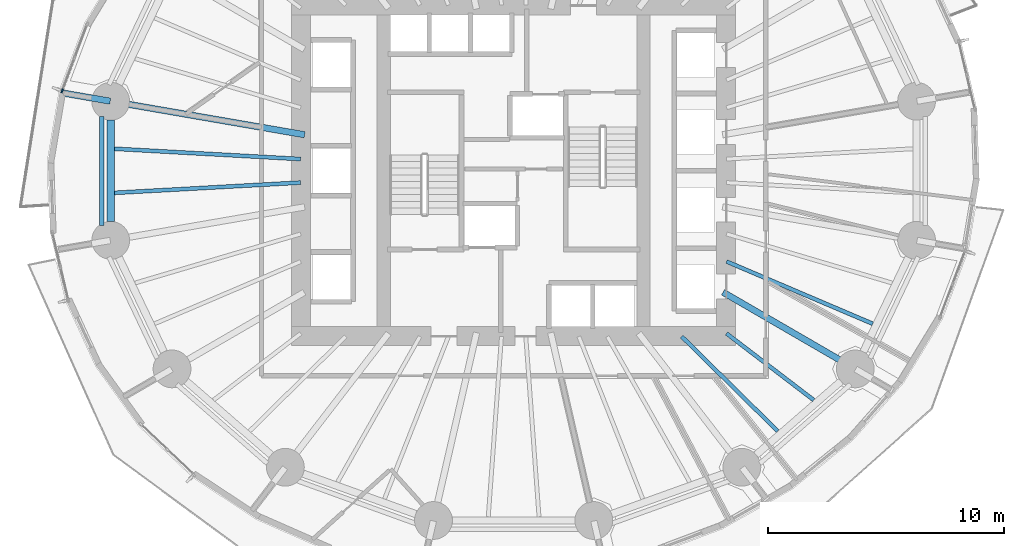
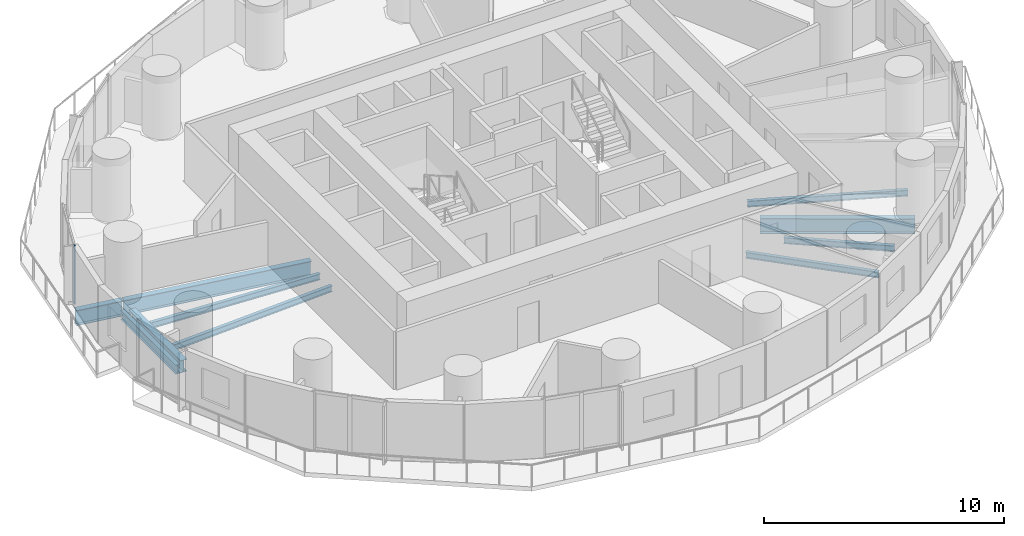
# One storey, part 3 of 14: 10 beams, 1 member, 1 element without a shape of its own.
"""IFC4 building model written with IfcOpenShell, lengths in metres."""

from ifc_helpers import new_model, si_unit, direction, frame, origin, origin_2d, place, context, subcontext, project, spatial, rectangle, i_section, extrude, material, material_profile, profile_set, type_object, element, aggregate, save


model = new_model("IFC4")

# Units and contexts
model_context = context("Model", 3, precision=1e-05, world=origin(), true_north=direction((0.0, 1.0)))
body_context = subcontext(model_context, "Body", "Model", "MODEL_VIEW")
ifc_project = project(units=[si_unit("LENGTHUNIT", "METRE"), si_unit("AREAUNIT", "SQUARE_METRE"), si_unit("VOLUMEUNIT", "CUBIC_METRE"), si_unit("PLANEANGLEUNIT", "RADIAN"), si_unit("MASSUNIT", "GRAM", prefix="KILO")], contexts=[model_context])

# Site, building, storey
site_placement = place(None, origin())
site = spatial("IfcSite", under=ifc_project, at=site_placement, CompositionType="ELEMENT")
building_placement = place(site_placement, origin())
building = spatial("IfcBuilding", under=site, at=building_placement, Name="Veldorim Arch Residences", CompositionType="ELEMENT")
storey_placement = place(building_placement, frame((0.0, 0.0, 34.39990234375)))
storey = spatial("IfcBuildingStorey", under=building, at=storey_placement, Name="L09", CompositionType="ELEMENT", Elevation=34.39990234375)

# Beams
ifc_material_1 = material(Name="Steel S355", Category="steel")
ifc_material_profile_1 = material_profile(ifc_material_1, i_section(OverallWidth=0.30712890625, OverallDepth=0.6201171875, WebThickness=0.01416015625, FlangeThickness=0.023681640625, at=origin_2d()), Name="UB610x305x179")
ifc_profile_set_1 = profile_set([ifc_material_profile_1], Name="Steel S355")
beam_type_1 = type_object("IfcBeamType", Name="Structural Steel Beam UB610x305x179", PredefinedType="BEAM", material=ifc_profile_set_1)
beam_1_placement = place(storey_placement, frame((14.934326171875, 26.14599609375, -0.550048828125), z_axis=(0.0, -1.0, 0.0), x_axis=(1.0, 0.0, 0.0)))
element("IfcBeam", 1, at=beam_1_placement, inside=storey, type_object=beam_type_1, Name="L09 perimeter ring tie beam 08", PredefinedType="BEAM", context=body_context, shape_type="SweptSolid", body=[
    extrude(i_section(OverallWidth=0.30712890625, OverallDepth=0.6201171875, WebThickness=0.01416015625, FlangeThickness=0.023681640625, at=origin_2d()), origin(), (0.0, 0.0, 1.0), 4.2919921875),
])
ifc_material_2 = material(Name="Steel S355", Category="steel")
ifc_material_profile_2 = material_profile(ifc_material_2, i_section(OverallWidth=0.26806640625, OverallDepth=0.769775390625, WebThickness=0.015625, FlangeThickness=0.025390625, at=origin_2d()), Name="UB762x267x197")
ifc_profile_set_2 = profile_set([ifc_material_profile_2], Name="Steel S355")
beam_type_2 = type_object("IfcBeamType", Name="Structural Steel GIRDER UB762x267x197", PredefinedType="USERDEFINED", material=ifc_profile_set_2)
beam_2_placement = place(storey_placement, frame((23.147705078125, 25.528076171875, -0.624755859375), z_axis=(-0.985427548249, 0.170095699979, 0.0), x_axis=(-0.170095699979, -0.985427548249, 0.0)))
element("IfcBeam", 2, at=beam_2_placement, inside=storey, type_object=beam_type_2, Name="L09 radial floor girder 08", ObjectType="GIRDER", PredefinedType="USERDEFINED", context=body_context, shape_type="SweptSolid", body=[
    extrude(i_section(OverallWidth=0.26806640625, OverallDepth=0.769775390625, WebThickness=0.015625, FlangeThickness=0.025390625, at=origin_2d()), origin(), (0.0, 0.0, 1.0), 8.314697265625),
])
beam_3_placement = place(storey_placement, frame((14.91455078125, 26.94921875, -0.624755859375), z_axis=(-0.985426816784, 0.170099937575, 0.0), x_axis=(-0.170099937575, -0.985426816784, 0.0)))
element("IfcBeam", 3, at=beam_3_placement, inside=storey, type_object=beam_type_2, Name="L09 radial edge cantilever girder 08", ObjectType="GIRDER", PredefinedType="USERDEFINED", context=body_context, shape_type="SweptSolid", body=[
    extrude(i_section(OverallWidth=0.26806640625, OverallDepth=0.769775390625, WebThickness=0.015625, FlangeThickness=0.025390625, at=origin_2d()), origin(), (0.0, 0.0, 1.0), 2.075439453125),
])
beam_4_placement = place(storey_placement, frame((40.8701171875, 18.8564453125, -0.624755859375), z_axis=(0.865088348752, -0.501619525989, 0.0), x_axis=(0.501619525989, 0.865088348752, 0.0)))
element("IfcBeam", 4, at=beam_4_placement, inside=storey, type_object=beam_type_2, Name="L09 radial floor girder 15", ObjectType="GIRDER", PredefinedType="USERDEFINED", context=body_context, shape_type="SweptSolid", body=[
    extrude(i_section(OverallWidth=0.26806640625, OverallDepth=0.769775390625, WebThickness=0.015625, FlangeThickness=0.025390625, at=origin_2d()), origin(), (0.0, 0.0, 1.0), 6.4501953125),
])
ifc_material_3 = material(Name="Steel S355", Category="steel")
ifc_material_profile_3 = material_profile(ifc_material_3, i_section(OverallWidth=0.165771484375, OverallDepth=0.306640625, WebThickness=0.006591796875, FlangeThickness=0.01171875, at=origin_2d()), Name="UB305x165x46")
ifc_profile_set_3 = profile_set([ifc_material_profile_3], Name="Steel S355")
beam_type_3 = type_object("IfcBeamType", Name="Structural Steel Joist UB305x165x46", PredefinedType="JOIST", material=ifc_profile_set_3)
for number, where, z_axis, x_axis, name in (
    (5, (22.97998046875, 24.498291015625, -0.393310546875), (-0.998478371109, 0.055144740699, 0.0), (-0.055144740699, -0.998478371109, 0.0), "L09 secondary radial floor joist 08-1"),
    (6, (22.97998046875, 23.501708984375, -0.393310546875), (-0.998478371109, -0.055144740699, 0.0), (0.055144740699, -0.998478371109, 0.0), "L09 secondary radial floor joist 08-2"),
):
    element("IfcBeam", number, at=place(storey_placement, frame(where, z_axis=z_axis, x_axis=x_axis)), inside=storey, type_object=beam_type_3, Name=name, PredefinedType="JOIST", context=body_context, shape_type="SweptSolid", body=[
        extrude(i_section(OverallWidth=0.165771484375, OverallDepth=0.306640625, WebThickness=0.006591796875, FlangeThickness=0.01171875, at=origin_2d()), origin(), (0.0, 0.0, 1.0), 7.898193359375),
    ])
beam_5_placement = place(storey_placement, frame((39.114990234375, 16.986083984375, -0.393310546875), z_axis=(0.712129078446, -0.702048556463, 0.0), x_axis=(0.702048556463, 0.712129078446, 0.0)))
element("IfcBeam", 7, at=beam_5_placement, inside=storey, type_object=beam_type_3, Name="L09 secondary radial floor joist 14-1", PredefinedType="JOIST", context=body_context, shape_type="SweptSolid", body=[
    extrude(i_section(OverallWidth=0.165771484375, OverallDepth=0.306640625, WebThickness=0.006591796875, FlangeThickness=0.01171875, at=origin_2d()), origin(), (0.0, 0.0, 1.0), 5.715576171875),
])
beam_6_placement = place(storey_placement, frame((41.015869140625, 17.1123046875, -0.393310546875), z_axis=(0.794666431166, -0.607046343517, 0.0), x_axis=(0.607046343517, 0.794666431166, 0.0)))
element("IfcBeam", 8, at=beam_6_placement, inside=storey, type_object=beam_type_3, Name="L09 secondary radial floor joist 14-2", PredefinedType="JOIST", context=body_context, shape_type="SweptSolid", body=[
    extrude(i_section(OverallWidth=0.165771484375, OverallDepth=0.306640625, WebThickness=0.006591796875, FlangeThickness=0.01171875, at=origin_2d()), origin(), (0.0, 0.0, 1.0), 4.646728515625),
])
beam_7_placement = place(storey_placement, frame((41.018310546875, 20.15869140625, -0.393310546875), z_axis=(0.920032948668, -0.391841005213, 0.0), x_axis=(0.391841005213, 0.920032948668, 0.0)))
element("IfcBeam", 9, at=beam_7_placement, inside=storey, type_object=beam_type_3, Name="L09 secondary radial floor joist 15-1", PredefinedType="JOIST", context=body_context, shape_type="SweptSolid", body=[
    extrude(i_section(OverallWidth=0.165771484375, OverallDepth=0.306640625, WebThickness=0.006591796875, FlangeThickness=0.01171875, at=origin_2d()), origin(), (0.0, 0.0, 1.0), 6.723388671875),
])
ifc_material_4 = material(Name="Steel S355", Category="steel")
ifc_material_profile_4 = material_profile(ifc_material_4, i_section(OverallWidth=0.19140625, OverallDepth=0.4599609375, WebThickness=0.010009765625, FlangeThickness=0.01611328125, at=origin_2d()), Name="UB457x191x82")
ifc_profile_set_4 = profile_set([ifc_material_profile_4], Name="Steel S355")
beam_type_4 = type_object("IfcBeamType", Name="Structural Steel Spandrel UB457x191x82", PredefinedType="SPANDREL", material=ifc_profile_set_4)
beam_8_placement = place(storey_placement, frame((14.559814453125, 26.306396484375, -0.489990234375), z_axis=(0.0, -1.0, 0.0), x_axis=(1.0, 0.0, 0.0)))
element("IfcBeam", 10, at=beam_8_placement, inside=storey, type_object=beam_type_4, Name="L09 perimeter chord spandrel beam 08", PredefinedType="SPANDREL", context=body_context, shape_type="SweptSolid", body=[
    extrude(i_section(OverallWidth=0.19140625, OverallDepth=0.4599609375, WebThickness=0.010009765625, FlangeThickness=0.01611328125, at=origin_2d()), origin(), (0.0, 0.0, 1.0), 4.61279296875),
])

# Curtain wall, member
ifc_material_5 = material(Name="Aluminium", Category="aluminium")
curtain_wall_type = type_object("IfcCurtainWallType", Name="Zone 1 Acoustic Low-E Unitised Curtain Wall", PredefinedType="NOTDEFINED", material=ifc_material_5)
curtain_wall_placement = place(storey_placement, origin())
curtain_wall = element("IfcCurtainWall", 11, at=curtain_wall_placement, inside=storey, type_object=curtain_wall_type, Name="L09 unitised curtain wall bay 16", PredefinedType="NOTDEFINED")
ifc_material_6 = material(Name="Aluminium", Category="aluminium")
ifc_material_profile_5 = material_profile(ifc_material_6, rectangle(XDim=0.06494140625, YDim=0.175048828125, at=origin_2d()), Name="ALU_MUL_65x175")
ifc_profile_set_5 = profile_set([ifc_material_profile_5], Name="Aluminium")
member_type = type_object("IfcMemberType", Name="Zone 1 Acoustic Low-E Unitised Curtain Wall Mullion 65x175", PredefinedType="MULLION", material=ifc_profile_set_5)
member_placement = place(storey_placement, frame((12.877685546875, 27.38232421875, 0.0), z_axis=(0.0, 0.0, 1.0), x_axis=(-0.9356558675, 0.352913725454, 0.0)))
member = element("IfcMember", 12, at=member_placement, type_object=member_type, Name="CW-Z1 mullion 1", PredefinedType="MULLION", context=body_context, shape_type="SweptSolid", body=[
    extrude(rectangle(XDim=0.06494140625, YDim=0.175048828125, at=origin_2d()), origin(), (0.0, 0.0, 1.0), 2.960205078125),
])
aggregate(curtain_wall, [member])

save(model, "model.ifc")
